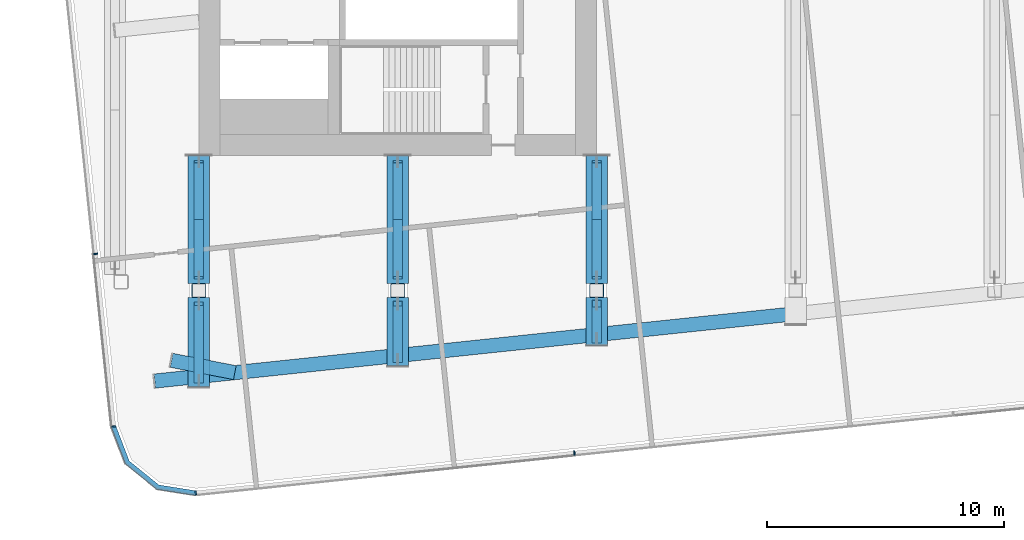
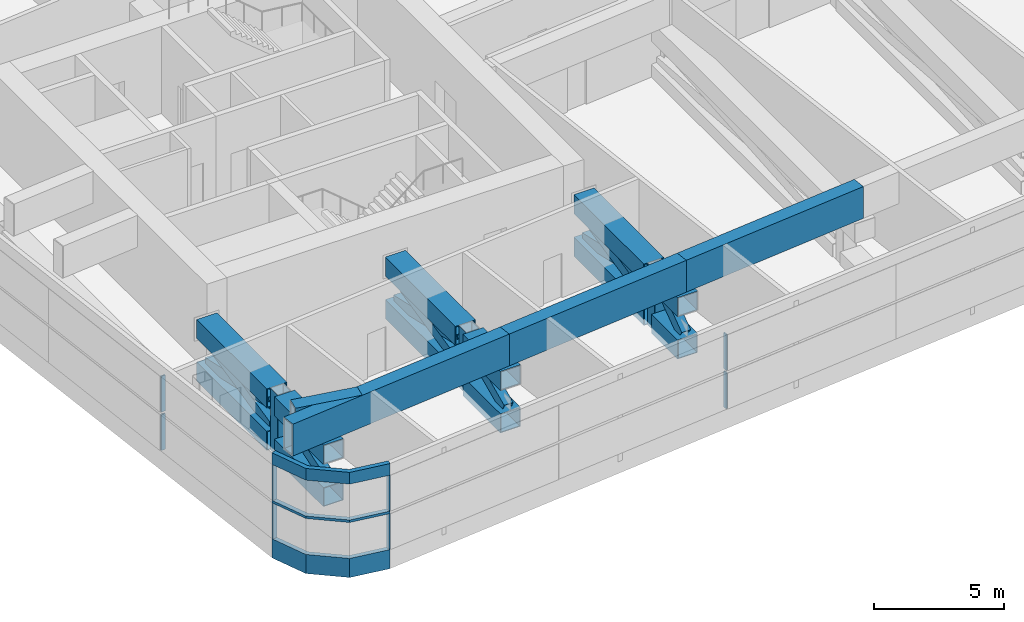
# One storey, part 2 of 33: 35 members, 4 beams, 3 elements without a shape of their own.
"""IFC4 building model written with IfcOpenShell, lengths in metres."""

from ifc_helpers import new_model, si_unit, direction, frame, origin, origin_2d, place, context, subcontext, project, spatial, polyline, rectangle, hollow_rectangle, outline, extrude, material, layer, layer_set, material_profile, profile_set, type_object, element, aggregate, save


model = new_model("IFC4")

# Units and contexts
model_context = context("Model", 3, precision=1e-05, world=origin(), true_north=direction((0.0, 1.0)))
body_context = subcontext(model_context, "Body", "Model", "MODEL_VIEW")
ifc_project = project(units=[si_unit("LENGTHUNIT", "METRE"), si_unit("AREAUNIT", "SQUARE_METRE"), si_unit("VOLUMEUNIT", "CUBIC_METRE"), si_unit("PLANEANGLEUNIT", "RADIAN"), si_unit("MASSUNIT", "GRAM", prefix="KILO")], contexts=[model_context])

# Site, building, storey
site_placement = place(None, origin())
site = spatial("IfcSite", under=ifc_project, at=site_placement, CompositionType="ELEMENT")
building_placement = place(site_placement, origin())
building = spatial("IfcBuilding", under=site, at=building_placement, Name="Hakoniwa Tower and Hamabe Station Hall", CompositionType="ELEMENT")
storey_placement = place(building_placement, frame((0.0, 0.0, 228.199951171875)))
storey = spatial("IfcBuildingStorey", under=building, at=storey_placement, Name="L65", CompositionType="ELEMENT", Elevation=228.199951171875)

# Curtain wall, members
ifc_material_1 = material(Name="Dark low-e laminated glass", Category="glass")
ifc_layer = layer(ifc_material_1, 0.199951171875)
ifc_layer_set = layer_set([ifc_layer], Name="CW-6 PLANT LOUVRE")
curtain_wall_type = type_object("IfcCurtainWallType", Name="CW-6 PLANT LOUVRE", PredefinedType="NOTDEFINED", material=ifc_layer_set)
curtain_wall_1_placement = place(storey_placement, origin())
curtain_wall_1 = element("IfcCurtainWall", 1, at=curtain_wall_1_placement, inside=storey, type_object=curtain_wall_type, Name="CW-6 curtain wall", PredefinedType="NOTDEFINED")
ifc_material_2 = material(Name="Aluminium 6063-T5 black anodised", Category="aluminium")
ifc_material_profile_1 = material_profile(ifc_material_2, rectangle(XDim=0.199951171875, YDim=0.550048828125, at=origin_2d()), Name="CW HEAD BAND 550X200")
ifc_profile_set_1 = profile_set([ifc_material_profile_1], Name="Aluminium 6063-T5 black anodised")
member_type_1 = type_object("IfcMemberType", Name="CW HEAD BAND 550X200", PredefinedType="USERDEFINED", material=ifc_profile_set_1)
member_1_placement = place(storey_placement, frame((0.0, 0.0, 3.85009765625)))
member_1 = element("IfcMember", 2, at=member_1_placement, type_object=member_type_1, Name="CW-6 transom", ObjectType="TRANSOM", PredefinedType="USERDEFINED", context=body_context, shape_type="SweptSolid", body=[
    extrude(outline(polyline([(-37.302734375, -19.8515625), (-36.703125, -21.4130859375), (-35.371337890625, -22.49169921875), (-33.71923828125, -22.75341796875), (-33.68798828125, -22.5556640625), (-35.287109375, -22.302490234375), (-36.53564453125, -21.29150390625), (-37.115966796875, -19.77978515625), (-37.302734375, -19.8515625)])), origin(), (0.0, 0.0, 1.0), 0.550048828125),
])
ifc_material_3 = material(Name="Aluminium 6063-T5 black anodised", Category="aluminium")
ifc_material_profile_2 = material_profile(ifc_material_3, rectangle(XDim=0.199951171875, YDim=0.1201171875, at=origin_2d()), Name="CW MID TRANSOM 120X200")
ifc_profile_set_2 = profile_set([ifc_material_profile_2], Name="Aluminium 6063-T5 black anodised")
member_type_2 = type_object("IfcMemberType", Name="CW MID TRANSOM 120X200", PredefinedType="USERDEFINED", material=ifc_profile_set_2)
member_2_placement = place(storey_placement, frame((0.0, 0.0, 2.0400390625)))
member_2 = element("IfcMember", 3, at=member_2_placement, type_object=member_type_2, Name="CW-6 transom", ObjectType="TRANSOM", PredefinedType="USERDEFINED", context=body_context, shape_type="SweptSolid", body=[
    extrude(outline(polyline([(-37.302734375, -19.8515625), (-36.703125, -21.4130859375), (-35.371337890625, -22.49169921875), (-33.71923828125, -22.75341796875), (-33.68798828125, -22.5556640625), (-35.287109375, -22.302490234375), (-36.53564453125, -21.29150390625), (-37.115966796875, -19.77978515625), (-37.302734375, -19.8515625)])), origin(), (0.0, 0.0, 1.0), 0.1201171875),
])
ifc_material_4 = material(Name="Aluminium 6063-T5 black anodised", Category="aluminium")
ifc_material_profile_3 = material_profile(ifc_material_4, rectangle(XDim=0.199951171875, YDim=0.89990234375, at=origin_2d()), Name="CW SLAB-EDGE BAND 900X200")
ifc_profile_set_3 = profile_set([ifc_material_profile_3], Name="Aluminium 6063-T5 black anodised")
member_type_3 = type_object("IfcMemberType", Name="CW SLAB-EDGE BAND 900X200", PredefinedType="USERDEFINED", material=ifc_profile_set_3)
member_3_placement = place(storey_placement, frame((0.0, 0.0, -0.550048828125)))
member_3 = element("IfcMember", 4, at=member_3_placement, type_object=member_type_3, Name="CW-6 transom", ObjectType="TRANSOM", PredefinedType="USERDEFINED", context=body_context, shape_type="SweptSolid", body=[
    extrude(outline(polyline([(-37.302734375, -19.8515625), (-36.703125, -21.4130859375), (-35.371337890625, -22.49169921875), (-33.71923828125, -22.75341796875), (-33.68798828125, -22.5556640625), (-35.287109375, -22.302490234375), (-36.53564453125, -21.29150390625), (-37.115966796875, -19.77978515625), (-37.302734375, -19.8515625)])), origin(), (0.0, 0.0, 1.0), 0.900146484375),
])
aggregate(curtain_wall_1, [member_3, member_2, member_1])

curtain_wall_2_placement = place(storey_placement, origin())
curtain_wall_2 = element("IfcCurtainWall", 5, at=curtain_wall_2_placement, inside=storey, type_object=curtain_wall_type, Name="CW-6 curtain wall", PredefinedType="NOTDEFINED")
ifc_material_5 = material(Name="Aluminium 6063-T5 black anodised", Category="aluminium")
ifc_material_profile_4 = material_profile(ifc_material_5, rectangle(XDim=0.06005859375, YDim=0.179931640625, at=origin_2d()), Name="CW-1 MULLION 60X180")
ifc_profile_set_4 = profile_set([ifc_material_profile_4], Name="Aluminium 6063-T5 black anodised")
member_type_4 = type_object("IfcMemberType", Name="CW-1 MULLION 60X180", PredefinedType="MULLION", material=ifc_profile_set_4)
member_4_placement = place(storey_placement, frame((-37.95166015625, -12.54736328125, 0.35009765625), z_axis=(0.0, 0.0, 1.0), x_axis=(0.104528461376, -0.994521895567, 0.0)))
member_4 = element("IfcMember", 6, at=member_4_placement, type_object=member_type_4, Name="CW-6 mullion", PredefinedType="MULLION", context=body_context, shape_type="SweptSolid", body=[
    extrude(rectangle(XDim=0.06005859375, YDim=0.179931640625, at=origin_2d()), origin(), (0.0, 0.0, 1.0), 1.68994140625),
])
member_5_placement = place(storey_placement, frame((-37.95166015625, -12.54736328125, 2.16015625), z_axis=(0.0, 0.0, 1.0), x_axis=(0.104528461376, -0.994521895567, 0.0)))
member_5 = element("IfcMember", 7, at=member_5_placement, type_object=member_type_4, Name="CW-6 mullion", PredefinedType="MULLION", context=body_context, shape_type="SweptSolid", body=[
    extrude(rectangle(XDim=0.06005859375, YDim=0.179931640625, at=origin_2d()), origin(), (0.0, 0.0, 1.0), 1.68994140625),
])
member_6_placement = place(storey_placement, frame((-37.185302734375, -19.839111328125, 0.35009765625), z_axis=(0.0, 0.0, 1.0), x_axis=(0.104528461376, -0.994521895567, 0.0)))
member_6 = element("IfcMember", 8, at=member_6_placement, type_object=member_type_4, Name="CW-6 mullion", PredefinedType="MULLION", context=body_context, shape_type="SweptSolid", body=[
    extrude(rectangle(XDim=0.06005859375, YDim=0.179931640625, at=origin_2d()), origin(), (0.0, 0.0, 1.0), 1.68994140625),
])
member_7_placement = place(storey_placement, frame((-37.185302734375, -19.839111328125, 2.16015625), z_axis=(0.0, 0.0, 1.0), x_axis=(0.104528461376, -0.994521895567, 0.0)))
member_7 = element("IfcMember", 9, at=member_7_placement, type_object=member_type_4, Name="CW-6 mullion", PredefinedType="MULLION", context=body_context, shape_type="SweptSolid", body=[
    extrude(rectangle(XDim=0.06005859375, YDim=0.179931640625, at=origin_2d()), origin(), (0.0, 0.0, 1.0), 1.68994140625),
])
aggregate(curtain_wall_2, [member_4, member_5, member_6, member_7])

curtain_wall_3_placement = place(storey_placement, origin())
curtain_wall_3 = element("IfcCurtainWall", 10, at=curtain_wall_3_placement, inside=storey, type_object=curtain_wall_type, Name="CW-6 curtain wall", PredefinedType="NOTDEFINED")
member_8_placement = place(storey_placement, frame((-33.731689453125, -22.635986328125, 0.35009765625), z_axis=(0.0, 0.0, 1.0), x_axis=(0.994521895328, 0.10452846365, 0.0)))
member_8 = element("IfcMember", 11, at=member_8_placement, type_object=member_type_4, Name="CW-6 mullion", PredefinedType="MULLION", context=body_context, shape_type="SweptSolid", body=[
    extrude(rectangle(XDim=0.06005859375, YDim=0.179931640625, at=origin_2d()), origin(), (0.0, 0.0, 1.0), 1.68994140625),
])
member_9_placement = place(storey_placement, frame((-33.731689453125, -22.635986328125, 2.16015625), z_axis=(0.0, 0.0, 1.0), x_axis=(0.994521895328, 0.10452846365, 0.0)))
member_9 = element("IfcMember", 12, at=member_9_placement, type_object=member_type_4, Name="CW-6 mullion", PredefinedType="MULLION", context=body_context, shape_type="SweptSolid", body=[
    extrude(rectangle(XDim=0.06005859375, YDim=0.179931640625, at=origin_2d()), origin(), (0.0, 0.0, 1.0), 1.68994140625),
])
member_10_placement = place(storey_placement, frame((-17.7421875, -20.955322265625, 0.35009765625), z_axis=(0.0, 0.0, 1.0), x_axis=(0.994521895328, 0.10452846365, 0.0)))
member_10 = element("IfcMember", 13, at=member_10_placement, type_object=member_type_4, Name="CW-6 mullion", PredefinedType="MULLION", context=body_context, shape_type="SweptSolid", body=[
    extrude(rectangle(XDim=0.06005859375, YDim=0.179931640625, at=origin_2d()), origin(), (0.0, 0.0, 1.0), 1.68994140625),
])
member_11_placement = place(storey_placement, frame((-17.7421875, -20.955322265625, 2.16015625), z_axis=(0.0, 0.0, 1.0), x_axis=(0.994521895328, 0.10452846365, 0.0)))
member_11 = element("IfcMember", 14, at=member_11_placement, type_object=member_type_4, Name="CW-6 mullion", PredefinedType="MULLION", context=body_context, shape_type="SweptSolid", body=[
    extrude(rectangle(XDim=0.06005859375, YDim=0.179931640625, at=origin_2d()), origin(), (0.0, 0.0, 1.0), 1.68994140625),
])
aggregate(curtain_wall_3, [member_8, member_9, member_10, member_11])

# Beams
ifc_material_6 = material(Name="Steel SN490C", Category="steel")
ifc_material_profile_5 = material_profile(ifc_material_6, hollow_rectangle(XDim=0.60009765625, YDim=1.5, WallThickness=0.054931640625, at=origin_2d()), Name="BX-1500x600x55")
ifc_profile_set_5 = profile_set([ifc_material_profile_5], Name="Steel SN490C")
beam_type = type_object("IfcBeamType", Name="TRANSFER GIRDER BX-1500x600x55", PredefinedType="BEAM", material=ifc_profile_set_5)
beam_1_placement = place(storey_placement, frame((-35.4599609375, -17.91796875, 3.35009765625), z_axis=(0.994521908867, 0.104528334836, 0.0), x_axis=(-0.104528334836, 0.994521908867, 0.0)))
element("IfcBeam", 15, at=beam_1_placement, inside=storey, type_object=beam_type, Name="Truss T4-S-A5-G1", PredefinedType="BEAM", context=body_context, shape_type="SweptSolid", body=[
    extrude(hollow_rectangle(XDim=0.60009765625, YDim=1.5, WallThickness=0.054931640625, at=origin_2d()), origin(), (0.0, 0.0, 1.0), 10.31640625),
])
beam_2_placement = place(storey_placement, frame((-25.199951171875, -16.839599609375, 3.35009765625), z_axis=(0.994522545364, 0.10452227879, 0.0), x_axis=(-0.10452227879, 0.994522545364, 0.0)))
element("IfcBeam", 16, at=beam_2_placement, inside=storey, type_object=beam_type, Name="Truss T4-S-A5-G2", PredefinedType="BEAM", context=body_context, shape_type="SweptSolid", body=[
    extrude(hollow_rectangle(XDim=0.60009765625, YDim=1.5, WallThickness=0.054931640625, at=origin_2d()), origin(), (0.0, 0.0, 1.0), 8.446044921875),
])
beam_3_placement = place(storey_placement, frame((-16.800048828125, -15.956787109375, 3.35009765625), z_axis=(0.994525865286, 0.104490685122, 0.0), x_axis=(-0.104490685122, 0.994525865286, 0.0)))
element("IfcBeam", 17, at=beam_3_placement, inside=storey, type_object=beam_type, Name="Truss T4-S-A5-G3", PredefinedType="BEAM", context=body_context, shape_type="SweptSolid", body=[
    extrude(hollow_rectangle(XDim=0.60009765625, YDim=1.5, WallThickness=0.054931640625, at=origin_2d()), origin(), (0.0, 0.0, 1.0), 8.4462890625),
])
beam_4_placement = place(storey_placement, frame((-32.07861328125, -17.5625, 3.35009765625), z_axis=(-0.981621923296, 0.19083605452, 0.0), x_axis=(-0.19083605452, -0.981621923296, 0.0)))
element("IfcBeam", 18, at=beam_4_placement, inside=storey, type_object=beam_type, Name="Truss L65-XG1", PredefinedType="BEAM", context=body_context, shape_type="SweptSolid", body=[
    extrude(hollow_rectangle(XDim=0.60009765625, YDim=1.5, WallThickness=0.054931640625, at=origin_2d()), origin(), (0.0, 0.0, 1.0), 2.722412109375),
])

# Members
ifc_material_7 = material(Name="Steel SN490C", Category="steel")
ifc_material_profile_6 = material_profile(ifc_material_7, hollow_rectangle(XDim=0.89990234375, YDim=0.89990234375, WallThickness=0.035888671875, at=origin_2d()), Name="BX-900x900x36")
ifc_profile_set_6 = profile_set([ifc_material_profile_6], Name="Steel SN490C")
member_type_5 = type_object("IfcMemberType", Name="TRUSS CHORD BX-900x900x36", PredefinedType="CHORD", material=ifc_profile_set_6)
for number, where, z_axis, x_axis, name in (
    (19, (-33.60009765625, -13.800048828125, 0.150146484375), (0.0, 1.0, 0.0), (-1.0, 0.0, 0.0), "Truss T4-03-BC01"),
    (20, (-33.60009765625, -13.800048828125, 2.150146484375), (0.0, 1.0, 0.0), (-1.0, 0.0, 0.0), "Truss T4-03-TC01"),
):
    element("IfcMember", number, at=place(storey_placement, frame(where, z_axis=z_axis, x_axis=x_axis)), inside=storey, type_object=member_type_5, Name=name, PredefinedType="CHORD", context=body_context, shape_type="SweptSolid", body=[
        extrude(hollow_rectangle(XDim=0.89990234375, YDim=0.89990234375, WallThickness=0.035888671875, at=origin_2d()), origin(), (0.0, 0.0, 1.0), 5.400146484375),
    ])
for number, where, z_axis, x_axis, name in (
    (21, (-33.60009765625, -18.173095703125, 0.150146484375), (0.0, 1.0, 0.0), (-1.0, 0.0, 0.0), "Truss T4-03-BCL"),
    (22, (-33.60009765625, -18.173095703125, 2.150146484375), (0.0, 1.0, 0.0), (-1.0, 0.0, 0.0), "Truss T4-03-TCL"),
):
    element("IfcMember", number, at=place(storey_placement, frame(where, z_axis=z_axis, x_axis=x_axis)), inside=storey, type_object=member_type_5, Name=name, PredefinedType="CHORD", context=body_context, shape_type="SweptSolid", body=[
        extrude(hollow_rectangle(XDim=0.89990234375, YDim=0.89990234375, WallThickness=0.035888671875, at=origin_2d()), origin(), (0.0, 0.0, 1.0), 3.773193359375),
    ])
for number, where, z_axis, x_axis, name in (
    (23, (-25.199951171875, -13.800048828125, 0.150146484375), (0.0, 1.0, 0.0), (-1.0, 0.0, 0.0), "Truss T4-05-BC01"),
    (24, (-25.199951171875, -13.800048828125, 2.150146484375), (0.0, 1.0, 0.0), (-1.0, 0.0, 0.0), "Truss T4-05-TC01"),
):
    element("IfcMember", number, at=place(storey_placement, frame(where, z_axis=z_axis, x_axis=x_axis)), inside=storey, type_object=member_type_5, Name=name, PredefinedType="CHORD", context=body_context, shape_type="SweptSolid", body=[
        extrude(hollow_rectangle(XDim=0.89990234375, YDim=0.89990234375, WallThickness=0.035888671875, at=origin_2d()), origin(), (0.0, 0.0, 1.0), 5.400146484375),
    ])
for number, where, z_axis, x_axis, name in (
    (25, (-25.199951171875, -17.2900390625, 0.150146484375), (0.0, 1.0, 0.0), (-1.0, 0.0, 0.0), "Truss T4-05-BCL"),
    (26, (-25.199951171875, -17.2900390625, 2.150146484375), (0.0, 1.0, 0.0), (-1.0, 0.0, 0.0), "Truss T4-05-TCL"),
):
    element("IfcMember", number, at=place(storey_placement, frame(where, z_axis=z_axis, x_axis=x_axis)), inside=storey, type_object=member_type_5, Name=name, PredefinedType="CHORD", context=body_context, shape_type="SweptSolid", body=[
        extrude(hollow_rectangle(XDim=0.89990234375, YDim=0.89990234375, WallThickness=0.035888671875, at=origin_2d()), origin(), (0.0, 0.0, 1.0), 2.89013671875),
    ])
for number, where, z_axis, x_axis, name in (
    (27, (-16.800048828125, -13.800048828125, 0.150146484375), (0.0, 1.0, 0.0), (-1.0, 0.0, 0.0), "Truss T4-07-BC01"),
    (28, (-16.800048828125, -13.800048828125, 2.150146484375), (0.0, 1.0, 0.0), (-1.0, 0.0, 0.0), "Truss T4-07-TC01"),
):
    element("IfcMember", number, at=place(storey_placement, frame(where, z_axis=z_axis, x_axis=x_axis)), inside=storey, type_object=member_type_5, Name=name, PredefinedType="CHORD", context=body_context, shape_type="SweptSolid", body=[
        extrude(hollow_rectangle(XDim=0.89990234375, YDim=0.89990234375, WallThickness=0.035888671875, at=origin_2d()), origin(), (0.0, 0.0, 1.0), 5.400146484375),
    ])
for number, where, z_axis, x_axis, name in (
    (29, (-16.800048828125, -16.406982421875, 0.150146484375), (0.0, 1.0, 0.0), (-1.0, 0.0, 0.0), "Truss T4-07-BCL"),
    (30, (-16.800048828125, -16.406982421875, 2.150146484375), (0.0, 1.0, 0.0), (-1.0, 0.0, 0.0), "Truss T4-07-TCL"),
):
    element("IfcMember", number, at=place(storey_placement, frame(where, z_axis=z_axis, x_axis=x_axis)), inside=storey, type_object=member_type_5, Name=name, PredefinedType="CHORD", context=body_context, shape_type="SweptSolid", body=[
        extrude(hollow_rectangle(XDim=0.89990234375, YDim=0.89990234375, WallThickness=0.035888671875, at=origin_2d()), origin(), (0.0, 0.0, 1.0), 2.007080078125),
    ])
ifc_material_8 = material(Name="Steel SN490C", Category="steel")
ifc_material_profile_7 = material_profile(ifc_material_8, hollow_rectangle(XDim=0.39990234375, YDim=0.5, WallThickness=0.02197265625, at=origin_2d()), Name="BX-500x400x22")
ifc_profile_set_7 = profile_set([ifc_material_profile_7], Name="Steel SN490C")
member_type_6 = type_object("IfcMemberType", Name="TRUSS DIAGONAL BX-500x400x22", PredefinedType="BRACE", material=ifc_profile_set_7)
for number, where, z_axis, x_axis, name in (
    (31, (-33.60009765625, -13.550048828125, 0.60009765625), (0.0, 0.975723884725, 0.219004339629), (-1.0, 0.0, 0.0), "Truss T4-03-D01a"),
    (32, (-33.60009765625, -13.550048828125, 1.699951171875), (0.0, 0.975723884725, -0.219004339629), (-1.0, 0.0, 0.0), "Truss T4-03-D01b"),
):
    element("IfcMember", number, at=place(storey_placement, frame(where, z_axis=z_axis, x_axis=x_axis)), inside=storey, type_object=member_type_6, Name=name, PredefinedType="BRACE", context=body_context, shape_type="SweptSolid", body=[
        extrude(hollow_rectangle(XDim=0.39990234375, YDim=0.5, WallThickness=0.02197265625, at=origin_2d()), origin(), (0.0, 0.0, 1.0), 5.02197265625),
    ])
member_12_placement = place(storey_placement, frame((-33.60009765625, -17.923095703125, 0.60009765625), z_axis=(0.0, 0.947916938412, 0.318517625684), x_axis=(-1.0, 0.0, 0.0)))
element("IfcMember", 33, at=member_12_placement, inside=storey, type_object=member_type_6, Name="Truss T4-03-DLa", PredefinedType="BRACE", context=body_context, shape_type="SweptSolid", body=[
    extrude(hollow_rectangle(XDim=0.39990234375, YDim=0.5, WallThickness=0.02197265625, at=origin_2d()), origin(), (0.0, 0.0, 1.0), 3.453125),
])
for number, where, z_axis, x_axis, name in (
    (34, (-25.199951171875, -13.550048828125, 0.60009765625), (0.0, 0.975723884725, 0.219004339629), (-1.0, 0.0, 0.0), "Truss T4-05-D01a"),
    (35, (-25.199951171875, -13.550048828125, 1.699951171875), (0.0, 0.975723884725, -0.219004339629), (-1.0, 0.0, 0.0), "Truss T4-05-D01b"),
):
    element("IfcMember", number, at=place(storey_placement, frame(where, z_axis=z_axis, x_axis=x_axis)), inside=storey, type_object=member_type_6, Name=name, PredefinedType="BRACE", context=body_context, shape_type="SweptSolid", body=[
        extrude(hollow_rectangle(XDim=0.39990234375, YDim=0.5, WallThickness=0.02197265625, at=origin_2d()), origin(), (0.0, 0.0, 1.0), 5.02197265625),
    ])
member_13_placement = place(storey_placement, frame((-25.199951171875, -17.0400390625, 0.60009765625), z_axis=(0.0, 0.908434076849, 0.418028142616), x_axis=(-1.0, 0.0, 0.0)))
element("IfcMember", 36, at=member_13_placement, inside=storey, type_object=member_type_6, Name="Truss T4-05-DLa", PredefinedType="BRACE", context=body_context, shape_type="SweptSolid", body=[
    extrude(hollow_rectangle(XDim=0.39990234375, YDim=0.5, WallThickness=0.02197265625, at=origin_2d()), origin(), (0.0, 0.0, 1.0), 2.631103515625),
])
for number, where, z_axis, x_axis, name in (
    (37, (-16.800048828125, -13.550048828125, 0.60009765625), (0.0, 0.975723884725, 0.219004339629), (-1.0, 0.0, 0.0), "Truss T4-07-D01a"),
    (38, (-16.800048828125, -13.550048828125, 1.699951171875), (0.0, 0.975723884725, -0.219004339629), (-1.0, 0.0, 0.0), "Truss T4-07-D01b"),
):
    element("IfcMember", number, at=place(storey_placement, frame(where, z_axis=z_axis, x_axis=x_axis)), inside=storey, type_object=member_type_6, Name=name, PredefinedType="BRACE", context=body_context, shape_type="SweptSolid", body=[
        extrude(hollow_rectangle(XDim=0.39990234375, YDim=0.5, WallThickness=0.02197265625, at=origin_2d()), origin(), (0.0, 0.0, 1.0), 5.02197265625),
    ])
member_14_placement = place(storey_placement, frame((-16.800048828125, -16.156982421875, 0.60009765625), z_axis=(0.0, 0.807767370875, 0.589501377903), x_axis=(-1.0, 0.0, 0.0)))
element("IfcMember", 39, at=member_14_placement, inside=storey, type_object=member_type_6, Name="Truss T4-07-DLa", PredefinedType="BRACE", context=body_context, shape_type="SweptSolid", body=[
    extrude(hollow_rectangle(XDim=0.39990234375, YDim=0.5, WallThickness=0.02197265625, at=origin_2d()), origin(), (0.0, 0.0, 1.0), 1.86572265625),
])
ifc_material_9 = material(Name="Steel BCP325", Category="steel")
ifc_material_profile_8 = material_profile(ifc_material_9, hollow_rectangle(XDim=0.60009765625, YDim=0.60009765625, WallThickness=0.02490234375, InnerFilletRadius=0.03759765625, OuterFilletRadius=0.0625, at=origin_2d()), Name="BCP-600x600x25")
ifc_profile_set_8 = profile_set([ifc_material_profile_8], Name="Steel BCP325")
member_type_7 = type_object("IfcMemberType", Name="TRUSS POST BCP-600x600x25", PredefinedType="POST", material=ifc_profile_set_8)
for number, where, z_axis, x_axis, name in (
    (40, (-33.60009765625, -14.10009765625, -0.300048828125), (0.0, 0.0, 1.0), (1.0, 0.0, 0.0), "Truss T4-03-P01"),
    (41, (-25.199951171875, -14.10009765625, -0.300048828125), (0.0, 0.0, 1.0), (1.0, 0.0, 0.0), "Truss T4-05-P01"),
    (42, (-16.800048828125, -14.10009765625, -0.300048828125), (0.0, 0.0, 1.0), (1.0, 0.0, 0.0), "Truss T4-07-P01"),
):
    element("IfcMember", number, at=place(storey_placement, frame(where, z_axis=z_axis, x_axis=x_axis)), inside=storey, type_object=member_type_7, Name=name, PredefinedType="POST", context=body_context, shape_type="SweptSolid", body=[
        extrude(hollow_rectangle(XDim=0.60009765625, YDim=0.60009765625, WallThickness=0.02490234375, InnerFilletRadius=0.03759765625, OuterFilletRadius=0.0625, at=origin_2d()), origin(), (0.0, 0.0, 1.0), 2.900146484375),
    ])

save(model, "model.ifc")
